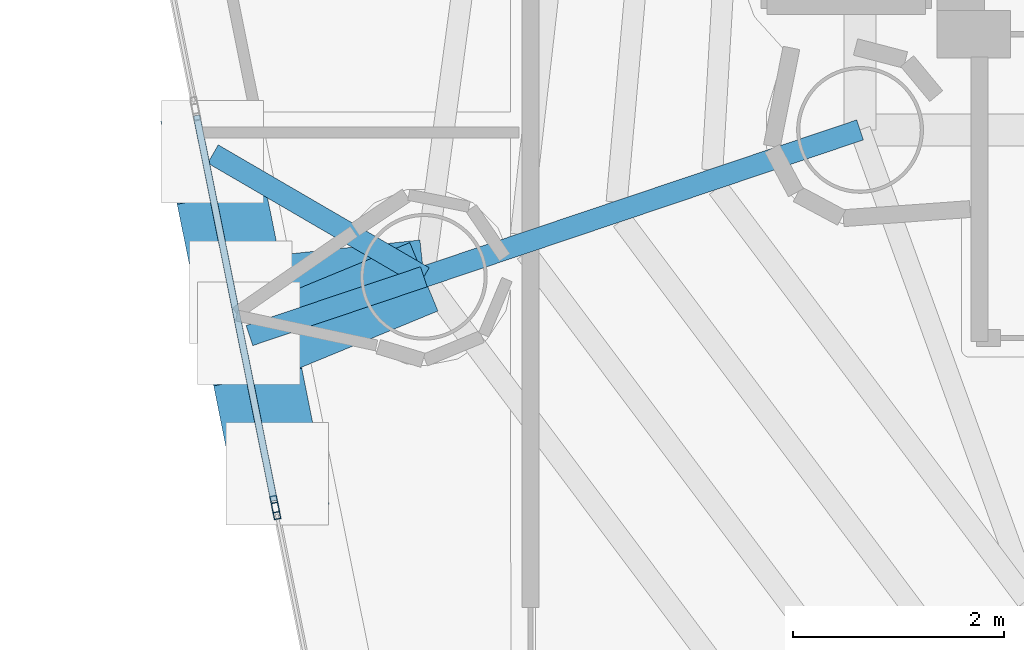
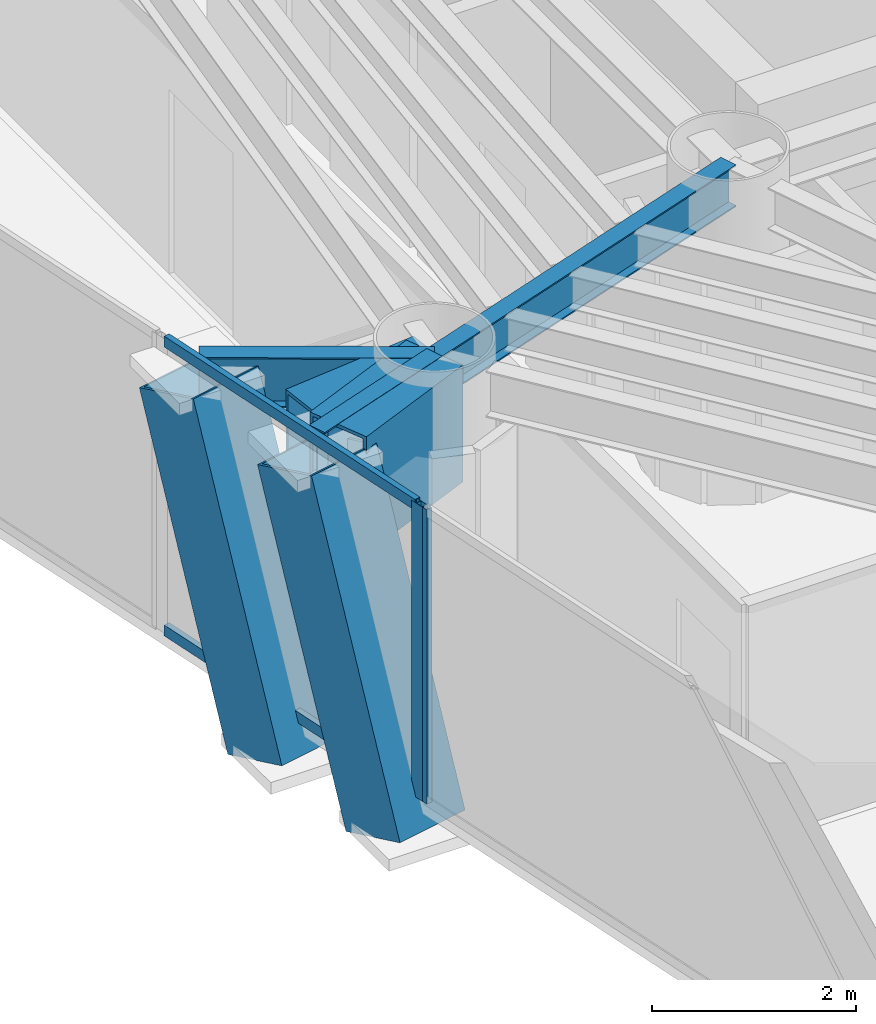
# One storey, part 4 of 22: 6 members, 5 beams, 2 elements without a shape of their own.
"""IFC4 building model written with IfcOpenShell, lengths in metres."""

from ifc_helpers import new_model, si_unit, direction, frame, origin, origin_2d, place, context, subcontext, project, spatial, hollow_rectangle, i_section, extrude, material, layer, layer_set, material_profile, profile_set, type_object, element, aggregate, save


model = new_model("IFC4")

# Units and contexts
model_context = context("Model", 3, precision=1e-05, world=origin(), true_north=direction((0.0, 1.0)))
body_context = subcontext(model_context, "Body", "Model", "MODEL_VIEW")
ifc_project = project(units=[si_unit("LENGTHUNIT", "METRE"), si_unit("AREAUNIT", "SQUARE_METRE"), si_unit("VOLUMEUNIT", "CUBIC_METRE"), si_unit("PLANEANGLEUNIT", "RADIAN"), si_unit("MASSUNIT", "GRAM", prefix="KILO")], contexts=[model_context])

# Site, building, storey
site_placement = place(None, origin())
site = spatial("IfcSite", under=ifc_project, at=site_placement, CompositionType="ELEMENT")
building_placement = place(site_placement, origin())
building = spatial("IfcBuilding", under=site, at=building_placement, Name="Qianvela Tower", CompositionType="ELEMENT")
storey_placement = place(building_placement, frame((0.0, 0.0, 204.0)))
storey = spatial("IfcBuildingStorey", under=building, at=storey_placement, Name="L52", CompositionType="ELEMENT", Elevation=204.0)

# Beams
ifc_material_1 = material(Name="Steel Q355B", Category="steel")
ifc_material_profile_1 = material_profile(ifc_material_1, i_section(OverallWidth=0.199951171875, OverallDepth=0.5, WebThickness=0.010009765625, FlangeThickness=0.01611328125, at=origin_2d()), Name="HN500x200x10x16")
ifc_profile_set_1 = profile_set([ifc_material_profile_1], Name="Steel Q355B")
beam_type_1 = type_object("IfcBeamType", Name="BM-HN500-GIRD", PredefinedType="BEAM", material=ifc_profile_set_1)
beam_1_placement = place(storey_placement, frame((28.60009765625, 23.85009765625, 3.26806640625), z_axis=(-0.947709214586, -0.319135150976, 0.0), x_axis=(0.319135150976, -0.947709214586, 0.0)))
element("IfcBeam", 1, at=beam_1_placement, inside=storey, type_object=beam_type_1, Name="L52 Radial Primary Floor Girder 4", PredefinedType="BEAM", context=body_context, shape_type="SweptSolid", body=[
    extrude(i_section(OverallWidth=0.199951171875, OverallDepth=0.5, WebThickness=0.010009765625, FlangeThickness=0.01611328125, at=origin_2d()), origin(), (0.0, 0.0, 1.0), 4.35595703125),
])
ifc_material_2 = material(Name="Steel Q355B", Category="steel")
ifc_material_profile_2 = material_profile(ifc_material_2, i_section(OverallWidth=0.199951171875, OverallDepth=0.60009765625, WebThickness=0.010986328125, FlangeThickness=0.01708984375, at=origin_2d()), Name="HN600x200x11x17")
ifc_profile_set_2 = profile_set([ifc_material_profile_2], Name="Steel Q355B")
beam_type_2 = type_object("IfcBeamType", Name="BM-HN600-GIRD", PredefinedType="BEAM", material=ifc_profile_set_2)
beam_2_placement = place(storey_placement, frame((24.471923828125, 22.4599609375, 3.218017578125), z_axis=(-0.864162000507, 0.503213708955, 0.0), x_axis=(-0.503213708955, -0.864162000507, 0.0)))
element("IfcBeam", 2, at=beam_2_placement, inside=storey, type_object=beam_type_2, Name="L52 Mega-Brace Column Tie Bracket F2-1", PredefinedType="BEAM", context=body_context, shape_type="SweptSolid", body=[
    extrude(i_section(OverallWidth=0.199951171875, OverallDepth=0.60009765625, WebThickness=0.010986328125, FlangeThickness=0.01708984375, at=origin_2d()), origin(), (0.0, 0.0, 1.0), 2.309814453125),
])
beam_3_placement = place(storey_placement, frame((24.471923828125, 22.4599609375, 3.218017578125), z_axis=(-0.947669414841, -0.319253316623, 0.0), x_axis=(0.319253316623, -0.947669414841, 0.0)))
element("IfcBeam", 3, at=beam_3_placement, inside=storey, type_object=beam_type_2, Name="L52 Mega-Brace Column Tie Bracket F2-2", PredefinedType="BEAM", context=body_context, shape_type="SweptSolid", body=[
    extrude(i_section(OverallWidth=0.199951171875, OverallDepth=0.60009765625, WebThickness=0.010986328125, FlangeThickness=0.01708984375, at=origin_2d()), origin(), (0.0, 0.0, 1.0), 1.741943359375),
])
ifc_material_3 = material(Name="Steel Q420GJC", Category="steel")
ifc_material_profile_3 = material_profile(ifc_material_3, hollow_rectangle(XDim=0.699951171875, YDim=1.39990234375, WallThickness=0.0400390625, at=origin_2d()), Name="TG-BOX-1400x700x40")
ifc_profile_set_3 = profile_set([ifc_material_profile_3], Name="Steel Q420GJC")
beam_type_3 = type_object("IfcBeamType", Name="BM-TG-STEP-1400", PredefinedType="BEAM", material=ifc_profile_set_3)
beam_4_placement = place(storey_placement, frame((24.471923828125, 22.4599609375, 2.81494140625), z_axis=(-0.994389971586, -0.105776105094, 0.0), x_axis=(0.105776105094, -0.994389971586, 0.0)))
element("IfcBeam", 4, at=beam_4_placement, inside=storey, type_object=beam_type_3, Name="L52 Mega-Brace Zone Base Bracket F2-1", PredefinedType="BEAM", context=body_context, shape_type="SweptSolid", body=[
    extrude(hollow_rectangle(XDim=0.699951171875, YDim=1.39990234375, WallThickness=0.0400390625, at=origin_2d()), origin(), (0.0, 0.0, 1.0), 1.548828125),
])
beam_5_placement = place(storey_placement, frame((24.471923828125, 22.4599609375, 2.81494140625), z_axis=(-0.924488611593, -0.38120966283, 0.0), x_axis=(0.38120966283, -0.924488611593, 0.0)))
element("IfcBeam", 5, at=beam_5_placement, inside=storey, type_object=beam_type_3, Name="L52 Mega-Brace Zone Base Bracket F2-2", PredefinedType="BEAM", context=body_context, shape_type="SweptSolid", body=[
    extrude(hollow_rectangle(XDim=0.699951171875, YDim=1.39990234375, WallThickness=0.0400390625, at=origin_2d()), origin(), (0.0, 0.0, 1.0), 1.548583984375),
])

# Curtain wall, members
ifc_material_4 = material(Name="Anodised Architectural Aluminium and Insulated Spandrel Panel", Category="aluminium")
ifc_layer_1 = layer(ifc_material_4, 0.179931640625)
ifc_layer_set_1 = layer_set([ifc_layer_1], Name="Anodised Architectural Aluminium and Insulated Spandrel Panel")
curtain_wall_type_1 = type_object("IfcCurtainWallType", Name="CW-BRACEBAY", PredefinedType="USERDEFINED", material=ifc_layer_set_1)
curtain_wall_1_placement = place(storey_placement, origin())
curtain_wall_1 = element("IfcCurtainWall", 6, at=curtain_wall_1_placement, inside=storey, type_object=curtain_wall_type_1, Name="L52 CW-BRACEBAY Curtain Wall 04B", ObjectType="CURTAIN_WALL_SYSTEM", PredefinedType="USERDEFINED")
ifc_material_5 = material(Name="Anodised Architectural Aluminium 6063-T6", Category="aluminium")
ifc_material_profile_4 = material_profile(ifc_material_5, hollow_rectangle(XDim=0.06494140625, YDim=0.159912109375, WallThickness=0.0048828125, at=origin_2d()), Name="ALU-MULL-65x160")
ifc_profile_set_4 = profile_set([ifc_material_profile_4], Name="Anodised Architectural Aluminium 6063-T6")
member_type_1 = type_object("IfcMemberType", Name="CW-BRACEBAY-MULL", PredefinedType="MULLION", material=ifc_profile_set_4)
member_1_placement = place(storey_placement, frame((23.06005859375, 20.308349609375, 0.0), z_axis=(0.0, 0.0, 1.0), x_axis=(0.980406465968, 0.196985180883, 0.0)))
member_1 = element("IfcMember", 7, at=member_1_placement, type_object=member_type_1, Name="CW-9 mullion 2", PredefinedType="MULLION", context=body_context, shape_type="SweptSolid", body=[
    extrude(hollow_rectangle(XDim=0.06494140625, YDim=0.159912109375, WallThickness=0.0048828125, at=origin_2d()), origin(), (0.0, 0.0, 1.0), 3.52001953125),
])
ifc_material_6 = material(Name="Anodised Architectural Aluminium 6063-T6", Category="aluminium")
ifc_material_profile_5 = material_profile(ifc_material_6, hollow_rectangle(XDim=0.06494140625, YDim=0.1298828125, WallThickness=0.00439453125, at=origin_2d()), Name="ALU-TRAN-65x130")
ifc_profile_set_5 = profile_set([ifc_material_profile_5], Name="Anodised Architectural Aluminium 6063-T6")
member_type_2 = type_object("IfcMemberType", Name="CW-BRACEBAY-TRAN", PredefinedType="USERDEFINED", material=ifc_profile_set_5)
member_2_placement = place(storey_placement, frame((22.32080078125, 23.9873046875, 0.032470703125), z_axis=(0.197012113579, -0.980401054214, 0.0), x_axis=(0.980401054214, 0.197012113579, 0.0)))
member_2 = element("IfcMember", 8, at=member_2_placement, type_object=member_type_2, Name="CW-9 transom 1.1", ObjectType="TRANSOM", PredefinedType="USERDEFINED", context=body_context, shape_type="SweptSolid", body=[
    extrude(hollow_rectangle(XDim=0.06494140625, YDim=0.1298828125, WallThickness=0.00439453125, at=origin_2d()), origin(), (0.0, 0.0, 1.0), 3.72021484375),
])
member_3_placement = place(storey_placement, frame((22.32080078125, 23.9873046875, 3.487548828125), z_axis=(0.197012113579, -0.980401054214, 0.0), x_axis=(0.980401054214, 0.197012113579, 0.0)))
member_3 = element("IfcMember", 9, at=member_3_placement, type_object=member_type_2, Name="CW-9 transom 1.2", ObjectType="TRANSOM", PredefinedType="USERDEFINED", context=body_context, shape_type="SweptSolid", body=[
    extrude(hollow_rectangle(XDim=0.06494140625, YDim=0.1298828125, WallThickness=0.00439453125, at=origin_2d()), origin(), (0.0, 0.0, 1.0), 3.72021484375),
])
aggregate(curtain_wall_1, [member_1, member_2, member_3])

# Curtain wall, member
ifc_material_7 = material(Name="Anodised Architectural Aluminium and Low-E Glass", Category="aluminium")
ifc_layer_2 = layer(ifc_material_7, 0.159912109375)
ifc_layer_set_2 = layer_set([ifc_layer_2], Name="Anodised Architectural Aluminium and Low-E Glass")
curtain_wall_type_2 = type_object("IfcCurtainWallType", Name="CW-COLIV-Z56", PredefinedType="USERDEFINED", material=ifc_layer_set_2)
curtain_wall_2_placement = place(storey_placement, origin())
curtain_wall_2 = element("IfcCurtainWall", 10, at=curtain_wall_2_placement, inside=storey, type_object=curtain_wall_type_2, Name="L52 CW-COLIV-Z56 Curtain Wall 04C", ObjectType="CURTAIN_WALL_SYSTEM", PredefinedType="USERDEFINED")
ifc_material_8 = material(Name="Anodised Architectural Aluminium 6063-T6", Category="aluminium")
ifc_material_profile_6 = material_profile(ifc_material_8, hollow_rectangle(XDim=0.06494140625, YDim=0.159912109375, WallThickness=0.0048828125, at=origin_2d()), Name="ALU-MULL-65x160")
ifc_profile_set_6 = profile_set([ifc_material_profile_6], Name="Anodised Architectural Aluminium 6063-T6")
member_type_3 = type_object("IfcMemberType", Name="CW-COLIV-Z56-MULL", PredefinedType="MULLION", material=ifc_profile_set_6)
member_4_placement = place(storey_placement, frame((23.072998046875, 20.24462890625, 0.0), z_axis=(0.0, 0.0, 1.0), x_axis=(0.980407975861, 0.19697766591, 0.0)))
member_4 = element("IfcMember", 11, at=member_4_placement, type_object=member_type_3, Name="CW-5 mullion 1", PredefinedType="MULLION", context=body_context, shape_type="SweptSolid", body=[
    extrude(hollow_rectangle(XDim=0.06494140625, YDim=0.159912109375, WallThickness=0.0048828125, at=origin_2d()), origin(), (0.0, 0.0, 1.0), 3.52001953125),
])
aggregate(curtain_wall_2, [member_4])

# Members
ifc_material_9 = material(Name="Steel Q420GJC", Category="steel")
ifc_material_profile_7 = material_profile(ifc_material_9, hollow_rectangle(XDim=0.85009765625, YDim=0.85009765625, WallThickness=0.031982421875, at=origin_2d()), Name="MBOX-850x850x32")
ifc_profile_set_7 = profile_set([ifc_material_profile_7], Name="Steel Q420GJC")
member_type_4 = type_object("IfcMemberType", Name="MBR-MBRACE-850", PredefinedType="BRACE", material=ifc_profile_set_7)
member_5_placement = place(storey_placement, frame((22.734375, 22.335205078125, -0.48193359375), z_axis=(-0.065855268581, 0.327846058505, 0.942433045645), x_axis=(-0.980415821802, -0.196938610639, 0.0)))
element("IfcMember", 12, at=member_5_placement, inside=storey, type_object=member_type_4, Name="L52 Tier 8 Exterior Mega-Brace F2A", PredefinedType="BRACE", context=body_context, shape_type="SweptSolid", body=[
    extrude(hollow_rectangle(XDim=0.85009765625, YDim=0.85009765625, WallThickness=0.031982421875, at=origin_2d()), origin(), (0.0, 0.0, 1.0), 3.926025390625),
])
member_6_placement = place(storey_placement, frame((23.07958984375, 20.616943359375, -0.48193359375), z_axis=(-0.06585661112, 0.327790554499, 0.942452258288), x_axis=(-0.980408607149, -0.196974523804, 0.0)))
element("IfcMember", 13, at=member_6_placement, inside=storey, type_object=member_type_4, Name="L52 Tier 8 Exterior Mega-Brace F2B", PredefinedType="BRACE", context=body_context, shape_type="SweptSolid", body=[
    extrude(hollow_rectangle(XDim=0.85009765625, YDim=0.85009765625, WallThickness=0.031982421875, at=origin_2d()), origin(), (0.0, 0.0, 1.0), 3.92578125),
])

save(model, "model.ifc")
